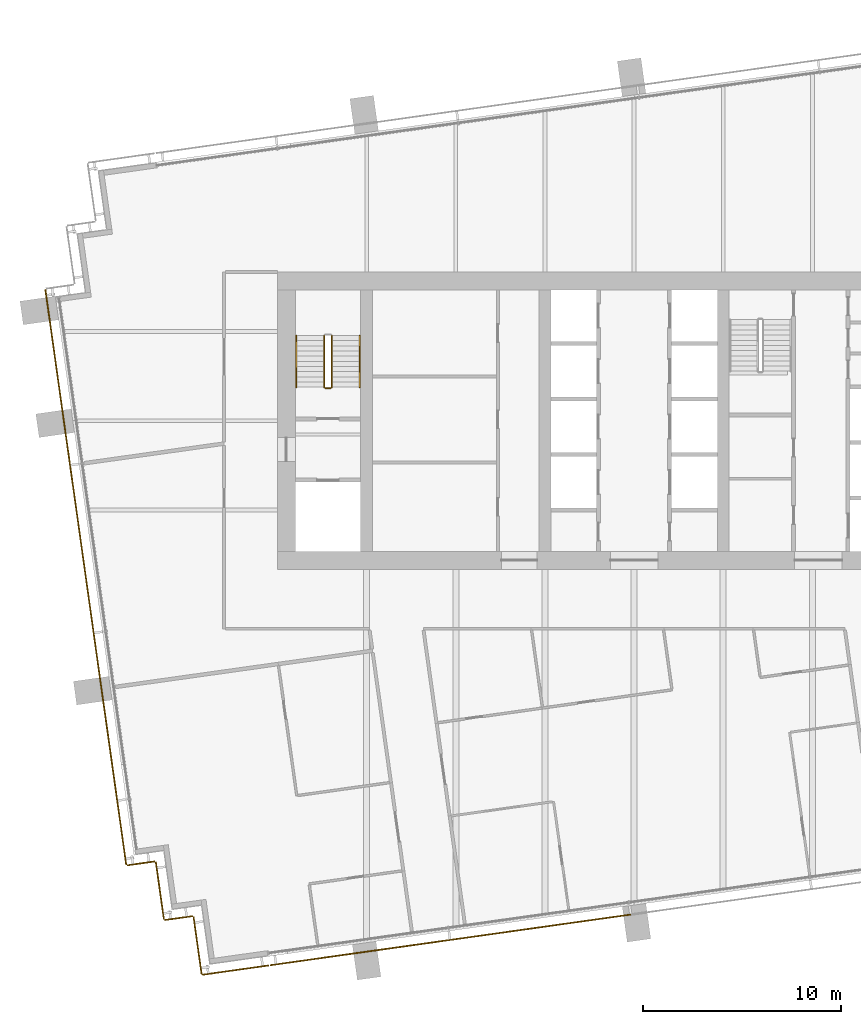
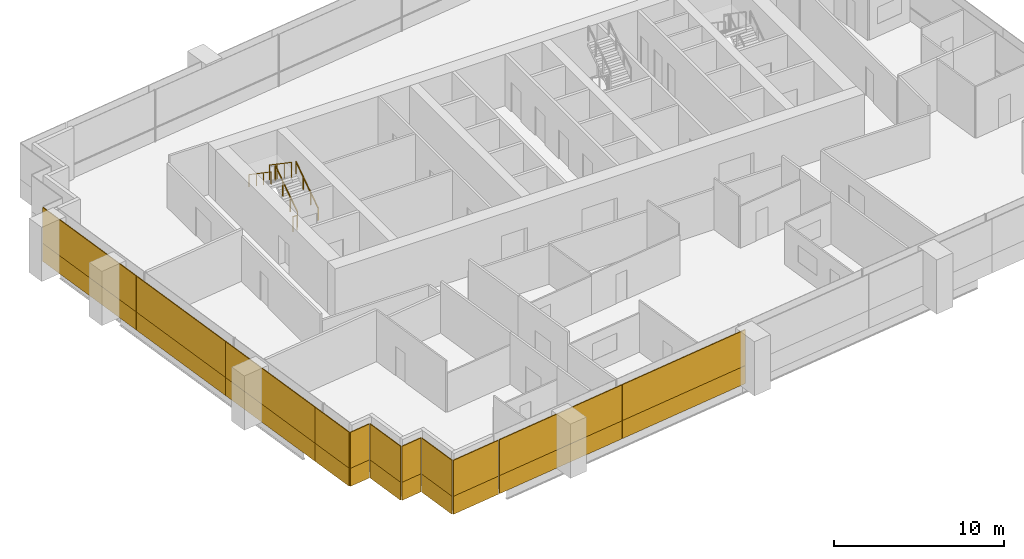
# One storey, part 14 of 18: 22 coverings, 5 railings.
"""IFC4 building model written with IfcOpenShell, lengths in metres."""

from ifc_helpers import new_model, si_unit, direction, frame, origin, origin_2d, place, context, subcontext, project, spatial, rectangle, extrude, material, layer, layer_set, type_object, element, save


model = new_model("IFC4")

# Units and contexts
model_context = context("Model", 3, precision=1e-05, world=origin(), true_north=direction((0.0, 1.0)))
body_context = subcontext(model_context, "Body", "Model", "MODEL_VIEW")
ifc_project = project(units=[si_unit("LENGTHUNIT", "METRE"), si_unit("AREAUNIT", "SQUARE_METRE"), si_unit("VOLUMEUNIT", "CUBIC_METRE"), si_unit("PLANEANGLEUNIT", "RADIAN"), si_unit("MASSUNIT", "GRAM", prefix="KILO")], contexts=[model_context])

# Site, building, storey
site_placement = place(None, origin())
site = spatial("IfcSite", under=ifc_project, at=site_placement, CompositionType="ELEMENT")
building_placement = place(site_placement, origin())
building = spatial("IfcBuilding", under=site, at=building_placement, Name="Rattan Terrace Tower", CompositionType="ELEMENT")
storey_placement = place(building_placement, frame((0.0, 0.0, 188.0)))
storey = spatial("IfcBuildingStorey", under=building, at=storey_placement, Name="L43", CompositionType="ELEMENT", Elevation=188.0)

# Railings
ifc_material_1 = material(Name="Powder-coated steel guard", Category="steel")
railing_type_1 = type_object("IfcRailingType", Name="Core stair guard", PredefinedType="GUARDRAIL", material=ifc_material_1)
railing_1_placement = place(storey_placement, frame((-15.25, 1.699951171875, 0.17724609375)))
element("IfcRailing", 1, at=railing_1_placement, inside=storey, type_object=railing_type_1, Name="L43 S1 stair guard 1", PredefinedType="GUARDRAIL", context=body_context, shape_type="SweptSolid", body=[
    extrude(rectangle(XDim=0.048095703125, YDim=0.048095703125, at=origin_2d()), frame((0.0, 0.0, 1.076171875), z_axis=(0.0, 0.826240473404, 0.563317565952), x_axis=(-1.0, 0.0, 0.0)), (0.0, 0.0, 1.0), 3.14697265625),
    extrude(rectangle(XDim=0.0419921875, YDim=0.0419921875, at=origin_2d()), origin(), (0.0, 0.0, 1.0), 1.052001953125),
    extrude(rectangle(XDim=0.0419921875, YDim=0.0419921875, at=origin_2d()), frame((0.0, 0.86669921875, 0.5908203125)), (0.0, 0.0, 1.0), 1.052001953125),
    extrude(rectangle(XDim=0.0419921875, YDim=0.0419921875, at=origin_2d()), frame((0.0, 1.7333984375, 1.181884765625)), (0.0, 0.0, 1.0), 1.052001953125),
    extrude(rectangle(XDim=0.0419921875, YDim=0.0419921875, at=origin_2d()), frame((0.0, 2.60009765625, 1.772705078125)), (0.0, 0.0, 1.0), 1.052001953125),
])
railing_2_placement = place(storey_placement, frame((-15.64990234375, 4.300048828125, 2.127197265625)))
element("IfcRailing", 2, at=railing_2_placement, inside=storey, type_object=railing_type_1, Name="L43 S1 stair guard 3", PredefinedType="GUARDRAIL", context=body_context, shape_type="SweptSolid", body=[
    extrude(rectangle(XDim=0.048095703125, YDim=0.048095703125, at=origin_2d()), frame((0.0, 0.0, 1.076171875), z_axis=(0.0, -0.826240473404, 0.563317565952), x_axis=(1.0, 0.0, 0.0)), (0.0, 0.0, 1.0), 3.14697265625),
    extrude(rectangle(XDim=0.0419921875, YDim=0.0419921875, at=origin_2d()), origin(), (0.0, 0.0, 1.0), 1.052001953125),
    extrude(rectangle(XDim=0.0419921875, YDim=0.0419921875, at=origin_2d()), frame((0.0, -0.86669921875, 0.5908203125)), (0.0, 0.0, 1.0), 1.052001953125),
    extrude(rectangle(XDim=0.0419921875, YDim=0.0419921875, at=origin_2d()), frame((0.0, -1.7333984375, 1.181884765625)), (0.0, 0.0, 1.0), 1.052001953125),
    extrude(rectangle(XDim=0.0419921875, YDim=0.0419921875, at=origin_2d()), frame((0.0, -2.60009765625, 1.772705078125)), (0.0, 0.0, 1.0), 1.052001953125),
])
railing_3_placement = place(storey_placement, frame((-15.300048828125, 1.64990234375, 0.0)))
element("IfcRailing", 3, at=railing_3_placement, inside=storey, type_object=railing_type_1, Name="L43 S1 stair guard 4", PredefinedType="GUARDRAIL", context=body_context, shape_type="SweptSolid", body=[
    extrude(rectangle(XDim=0.048095703125, YDim=0.048095703125, at=origin_2d()), frame((0.0, 0.0, 1.076171875), z_axis=(-1.0, 0.0, 0.0), x_axis=(0.0, -1.0, 0.0)), (0.0, 0.0, 1.0), 0.300048828125),
    extrude(rectangle(XDim=0.0419921875, YDim=0.0419921875, at=origin_2d()), origin(), (0.0, 0.0, 1.0), 1.052001953125),
    extrude(rectangle(XDim=0.0419921875, YDim=0.0419921875, at=origin_2d()), frame((-0.300048828125, 0.0, 0.0)), (0.0, 0.0, 1.0), 1.052001953125),
])
ifc_material_2 = material(Name="Powder-coated steel handrail", Category="steel")
railing_type_2 = type_object("IfcRailingType", Name="Core stair handrail", PredefinedType="HANDRAIL", material=ifc_material_2)
railing_4_placement = place(storey_placement, frame((-13.85009765625, 1.699951171875, 0.17724609375)))
element("IfcRailing", 4, at=railing_4_placement, inside=storey, type_object=railing_type_2, Name="L43 S1 stair handrail 1", PredefinedType="HANDRAIL", context=body_context, shape_type="SweptSolid", body=[
    extrude(rectangle(XDim=0.048095703125, YDim=0.048095703125, at=origin_2d()), frame((0.0, 0.0, 0.8759765625), z_axis=(0.0, 0.826240473404, 0.563317565952), x_axis=(-1.0, 0.0, 0.0)), (0.0, 0.0, 1.0), 3.14697265625),
    extrude(rectangle(XDim=0.0419921875, YDim=0.0419921875, at=origin_2d()), origin(), (0.0, 0.0, 1.0), 0.851806640625),
    extrude(rectangle(XDim=0.0419921875, YDim=0.0419921875, at=origin_2d()), frame((0.0, 0.86669921875, 0.5908203125)), (0.0, 0.0, 1.0), 0.851806640625),
    extrude(rectangle(XDim=0.0419921875, YDim=0.0419921875, at=origin_2d()), frame((0.0, 1.7333984375, 1.181884765625)), (0.0, 0.0, 1.0), 0.851806640625),
    extrude(rectangle(XDim=0.0419921875, YDim=0.0419921875, at=origin_2d()), frame((0.0, 2.60009765625, 1.772705078125)), (0.0, 0.0, 1.0), 0.851806640625),
])
railing_5_placement = place(storey_placement, frame((-17.050048828125, 4.300048828125, 2.127197265625)))
element("IfcRailing", 5, at=railing_5_placement, inside=storey, type_object=railing_type_2, Name="L43 S1 stair handrail 2", PredefinedType="HANDRAIL", context=body_context, shape_type="SweptSolid", body=[
    extrude(rectangle(XDim=0.048095703125, YDim=0.048095703125, at=origin_2d()), frame((0.0, 0.0, 0.8759765625), z_axis=(0.0, -0.826240473404, 0.563317565952), x_axis=(1.0, 0.0, 0.0)), (0.0, 0.0, 1.0), 3.14697265625),
    extrude(rectangle(XDim=0.0419921875, YDim=0.0419921875, at=origin_2d()), origin(), (0.0, 0.0, 1.0), 0.851806640625),
    extrude(rectangle(XDim=0.0419921875, YDim=0.0419921875, at=origin_2d()), frame((0.0, -0.86669921875, 0.5908203125)), (0.0, 0.0, 1.0), 0.851806640625),
    extrude(rectangle(XDim=0.0419921875, YDim=0.0419921875, at=origin_2d()), frame((0.0, -1.7333984375, 1.181884765625)), (0.0, 0.0, 1.0), 0.851806640625),
    extrude(rectangle(XDim=0.0419921875, YDim=0.0419921875, at=origin_2d()), frame((0.0, -2.60009765625, 1.772705078125)), (0.0, 0.0, 1.0), 0.851806640625),
])

# Coverings
ifc_material_3 = material(Name="Solid terracotta", Category="masonry")
ifc_layer_1 = layer(ifc_material_3, 0.06005859375)
ifc_layer_set_1 = layer_set([ifc_layer_1], Name="Facade Terracotta Band Panel")
covering_type_1 = type_object("IfcCoveringType", Name="Facade Terracotta Band Panel", PredefinedType="CLADDING", material=ifc_layer_set_1)
covering_1_placement = place(storey_placement, frame((-29.095703125, 2.19580078125, -0.18994140625), z_axis=(0.0, 0.0, 1.0), x_axis=(0.139190856006, -0.99026557327, 0.0)))
element("IfcCovering", 6, at=covering_1_placement, inside=storey, type_object=covering_type_1, Name="OUTER SKIN panel L43-25A", PredefinedType="CLADDING", context=body_context, shape_type="SweptSolid", body=[
    extrude(rectangle(XDim=8.949951171875, YDim=0.06005859375, at=origin_2d()), origin(), (0.0, 0.0, 1.0), 1.300048828125),
])
for number, where, z_axis, x_axis, name in (
    (7, (-27.87646484375, -6.478759765625, -0.18994140625), (0.0, 0.0, 1.0), (0.139190856006, -0.99026557327, 0.0), "OUTER SKIN panel L43-26A"),
    (8, (-26.6865234375, -14.945556640625, -0.18994140625), (0.0, 0.0, 1.0), (0.139190856006, -0.99026557327, 0.0), "OUTER SKIN panel L43-27A"),
):
    element("IfcCovering", number, at=place(storey_placement, frame(where, z_axis=z_axis, x_axis=x_axis)), inside=storey, type_object=covering_type_1, Name=name, PredefinedType="CLADDING", context=body_context, shape_type="SweptSolid", body=[
        extrude(rectangle(XDim=8.530029296875, YDim=0.06005859375, at=origin_2d()), origin(), (0.0, 0.0, 1.0), 1.300048828125),
    ])
covering_2_placement = place(storey_placement, frame((-25.86376953125, -20.79833984375, -0.18994140625), z_axis=(0.0, 0.0, 1.0), x_axis=(0.139190856006, -0.99026557327, 0.0)))
element("IfcCovering", 9, at=covering_2_placement, inside=storey, type_object=covering_type_1, Name="OUTER SKIN panel L43-28A", PredefinedType="CLADDING", context=body_context, shape_type="SweptSolid", body=[
    extrude(rectangle(XDim=3.25048828125, YDim=0.06005859375, at=origin_2d()), origin(), (0.0, 0.0, 1.0), 1.300048828125),
])
covering_3_placement = place(storey_placement, frame((-24.889404296875, -22.3427734375, -0.18994140625), z_axis=(0.0, 0.0, 1.0), x_axis=(0.990240767803, 0.139367219175, 0.0)))
element("IfcCovering", 10, at=covering_3_placement, inside=storey, type_object=covering_type_1, Name="OUTER SKIN panel L43-29A", PredefinedType="CLADDING", context=body_context, shape_type="SweptSolid", body=[
    extrude(rectangle(XDim=1.419677734375, YDim=0.06005859375, at=origin_2d()), origin(), (0.0, 0.0, 1.0), 1.300048828125),
])
covering_4_placement = place(storey_placement, frame((-23.93798828125, -23.723876953125, -0.18994140625), z_axis=(0.0, 0.0, 1.0), x_axis=(0.139321220646, -0.990247240581, 0.0)))
element("IfcCovering", 11, at=covering_4_placement, inside=storey, type_object=covering_type_1, Name="OUTER SKIN panel L43-30A", PredefinedType="CLADDING", context=body_context, shape_type="SweptSolid", body=[
    extrude(rectangle(XDim=2.920166015625, YDim=0.06005859375, at=origin_2d()), origin(), (0.0, 0.0, 1.0), 1.300048828125),
])
covering_5_placement = place(storey_placement, frame((-22.986328125, -25.104736328125, -0.18994140625), z_axis=(0.0, 0.0, 1.0), x_axis=(0.990240767803, 0.139367219175, 0.0)))
element("IfcCovering", 12, at=covering_5_placement, inside=storey, type_object=covering_type_1, Name="OUTER SKIN panel L43-31A", PredefinedType="CLADDING", context=body_context, shape_type="SweptSolid", body=[
    extrude(rectangle(XDim=1.419677734375, YDim=0.06005859375, at=origin_2d()), origin(), (0.0, 0.0, 1.0), 1.300048828125),
])
covering_6_placement = place(storey_placement, frame((-22.034912109375, -26.48583984375, -0.18994140625), z_axis=(0.0, 0.0, 1.0), x_axis=(0.139321220646, -0.990247240581, 0.0)))
element("IfcCovering", 13, at=covering_6_placement, inside=storey, type_object=covering_type_1, Name="OUTER SKIN panel L43-32A", PredefinedType="CLADDING", context=body_context, shape_type="SweptSolid", body=[
    extrude(rectangle(XDim=2.920166015625, YDim=0.06005859375, at=origin_2d()), origin(), (0.0, 0.0, 1.0), 1.300048828125),
])
covering_7_placement = place(storey_placement, frame((-20.1181640625, -27.73095703125, -0.18994140625), z_axis=(0.0, 0.0, 1.0), x_axis=(0.990240767803, 0.139367219175, 0.0)))
element("IfcCovering", 14, at=covering_7_placement, inside=storey, type_object=covering_type_1, Name="OUTER SKIN panel L43-33A", PredefinedType="CLADDING", context=body_context, shape_type="SweptSolid", body=[
    extrude(rectangle(XDim=3.369140625, YDim=0.06005859375, at=origin_2d()), origin(), (0.0, 0.0, 1.0), 1.300048828125),
])
covering_8_placement = place(storey_placement, frame((-13.833740234375, -26.847412109375, -0.18994140625), z_axis=(0.0, 0.0, 1.0), x_axis=(0.990269702686, 0.139161474347, 0.0)))
element("IfcCovering", 15, at=covering_8_placement, inside=storey, type_object=covering_type_1, Name="OUTER SKIN panel L43-34A", PredefinedType="CLADDING", context=body_context, shape_type="SweptSolid", body=[
    extrude(rectangle(XDim=9.162841796875, YDim=0.06005859375, at=origin_2d()), origin(), (0.0, 0.0, 1.0), 1.300048828125),
])
covering_9_placement = place(storey_placement, frame((-4.725341796875, -25.5673828125, -0.18994140625), z_axis=(0.0, 0.0, 1.0), x_axis=(0.990269702686, 0.139161474347, 0.0)))
element("IfcCovering", 16, at=covering_9_placement, inside=storey, type_object=covering_type_1, Name="OUTER SKIN panel L43-35A", PredefinedType="CLADDING", context=body_context, shape_type="SweptSolid", body=[
    extrude(rectangle(XDim=9.193115234375, YDim=0.06005859375, at=origin_2d()), origin(), (0.0, 0.0, 1.0), 1.300048828125),
])
ifc_material_4 = material(Name="Perforated terracotta", Category="masonry")
ifc_layer_2 = layer(ifc_material_4, 0.06005859375)
ifc_layer_set_2 = layer_set([ifc_layer_2], Name="Facade Terracotta Screen Panel")
covering_type_2 = type_object("IfcCoveringType", Name="Facade Terracotta Screen Panel", PredefinedType="CLADDING", material=ifc_layer_set_2)
covering_10_placement = place(storey_placement, frame((-29.095703125, 2.19580078125, 1.10986328125), z_axis=(0.0, 0.0, 1.0), x_axis=(0.139190856006, -0.99026557327, 0.0)))
element("IfcCovering", 17, at=covering_10_placement, inside=storey, type_object=covering_type_2, Name="OUTER SKIN panel L43-25B", PredefinedType="CLADDING", context=body_context, shape_type="SweptSolid", body=[
    extrude(rectangle(XDim=8.949951171875, YDim=0.06005859375, at=origin_2d()), origin(), (0.0, 0.0, 1.0), 2.580078125),
])
for number, where, z_axis, x_axis, name in (
    (18, (-27.87646484375, -6.478759765625, 1.10986328125), (0.0, 0.0, 1.0), (0.139190856006, -0.99026557327, 0.0), "OUTER SKIN panel L43-26B"),
    (19, (-26.6865234375, -14.945556640625, 1.10986328125), (0.0, 0.0, 1.0), (0.139190856006, -0.99026557327, 0.0), "OUTER SKIN panel L43-27B"),
):
    element("IfcCovering", number, at=place(storey_placement, frame(where, z_axis=z_axis, x_axis=x_axis)), inside=storey, type_object=covering_type_2, Name=name, PredefinedType="CLADDING", context=body_context, shape_type="SweptSolid", body=[
        extrude(rectangle(XDim=8.530029296875, YDim=0.06005859375, at=origin_2d()), origin(), (0.0, 0.0, 1.0), 2.580078125),
    ])
covering_11_placement = place(storey_placement, frame((-25.86376953125, -20.79833984375, 1.10986328125), z_axis=(0.0, 0.0, 1.0), x_axis=(0.139190856006, -0.99026557327, 0.0)))
element("IfcCovering", 20, at=covering_11_placement, inside=storey, type_object=covering_type_2, Name="OUTER SKIN panel L43-28B", PredefinedType="CLADDING", context=body_context, shape_type="SweptSolid", body=[
    extrude(rectangle(XDim=3.25048828125, YDim=0.06005859375, at=origin_2d()), origin(), (0.0, 0.0, 1.0), 2.580078125),
])
covering_12_placement = place(storey_placement, frame((-24.889404296875, -22.3427734375, 1.10986328125), z_axis=(0.0, 0.0, 1.0), x_axis=(0.990240767803, 0.139367219175, 0.0)))
element("IfcCovering", 21, at=covering_12_placement, inside=storey, type_object=covering_type_2, Name="OUTER SKIN panel L43-29B", PredefinedType="CLADDING", context=body_context, shape_type="SweptSolid", body=[
    extrude(rectangle(XDim=1.419677734375, YDim=0.06005859375, at=origin_2d()), origin(), (0.0, 0.0, 1.0), 2.580078125),
])
covering_13_placement = place(storey_placement, frame((-23.93798828125, -23.723876953125, 1.10986328125), z_axis=(0.0, 0.0, 1.0), x_axis=(0.139321220646, -0.990247240581, 0.0)))
element("IfcCovering", 22, at=covering_13_placement, inside=storey, type_object=covering_type_2, Name="OUTER SKIN panel L43-30B", PredefinedType="CLADDING", context=body_context, shape_type="SweptSolid", body=[
    extrude(rectangle(XDim=2.920166015625, YDim=0.06005859375, at=origin_2d()), origin(), (0.0, 0.0, 1.0), 2.580078125),
])
covering_14_placement = place(storey_placement, frame((-22.986328125, -25.104736328125, 1.10986328125), z_axis=(0.0, 0.0, 1.0), x_axis=(0.990240767803, 0.139367219175, 0.0)))
element("IfcCovering", 23, at=covering_14_placement, inside=storey, type_object=covering_type_2, Name="OUTER SKIN panel L43-31B", PredefinedType="CLADDING", context=body_context, shape_type="SweptSolid", body=[
    extrude(rectangle(XDim=1.419677734375, YDim=0.06005859375, at=origin_2d()), origin(), (0.0, 0.0, 1.0), 2.580078125),
])
covering_15_placement = place(storey_placement, frame((-22.034912109375, -26.48583984375, 1.10986328125), z_axis=(0.0, 0.0, 1.0), x_axis=(0.139321220646, -0.990247240581, 0.0)))
element("IfcCovering", 24, at=covering_15_placement, inside=storey, type_object=covering_type_2, Name="OUTER SKIN panel L43-32B", PredefinedType="CLADDING", context=body_context, shape_type="SweptSolid", body=[
    extrude(rectangle(XDim=2.920166015625, YDim=0.06005859375, at=origin_2d()), origin(), (0.0, 0.0, 1.0), 2.580078125),
])
covering_16_placement = place(storey_placement, frame((-20.1181640625, -27.73095703125, 1.10986328125), z_axis=(0.0, 0.0, 1.0), x_axis=(0.990240767803, 0.139367219175, 0.0)))
element("IfcCovering", 25, at=covering_16_placement, inside=storey, type_object=covering_type_2, Name="OUTER SKIN panel L43-33B", PredefinedType="CLADDING", context=body_context, shape_type="SweptSolid", body=[
    extrude(rectangle(XDim=3.369140625, YDim=0.06005859375, at=origin_2d()), origin(), (0.0, 0.0, 1.0), 2.580078125),
])
covering_17_placement = place(storey_placement, frame((-13.833740234375, -26.847412109375, 1.10986328125), z_axis=(0.0, 0.0, 1.0), x_axis=(0.990269702686, 0.139161474347, 0.0)))
element("IfcCovering", 26, at=covering_17_placement, inside=storey, type_object=covering_type_2, Name="OUTER SKIN panel L43-34B", PredefinedType="CLADDING", context=body_context, shape_type="SweptSolid", body=[
    extrude(rectangle(XDim=9.162841796875, YDim=0.06005859375, at=origin_2d()), origin(), (0.0, 0.0, 1.0), 2.580078125),
])
covering_18_placement = place(storey_placement, frame((-4.725341796875, -25.5673828125, 1.10986328125), z_axis=(0.0, 0.0, 1.0), x_axis=(0.990269702686, 0.139161474347, 0.0)))
element("IfcCovering", 27, at=covering_18_placement, inside=storey, type_object=covering_type_2, Name="OUTER SKIN panel L43-35B", PredefinedType="CLADDING", context=body_context, shape_type="SweptSolid", body=[
    extrude(rectangle(XDim=9.193115234375, YDim=0.06005859375, at=origin_2d()), origin(), (0.0, 0.0, 1.0), 2.580078125),
])

save(model, "model.ifc")
